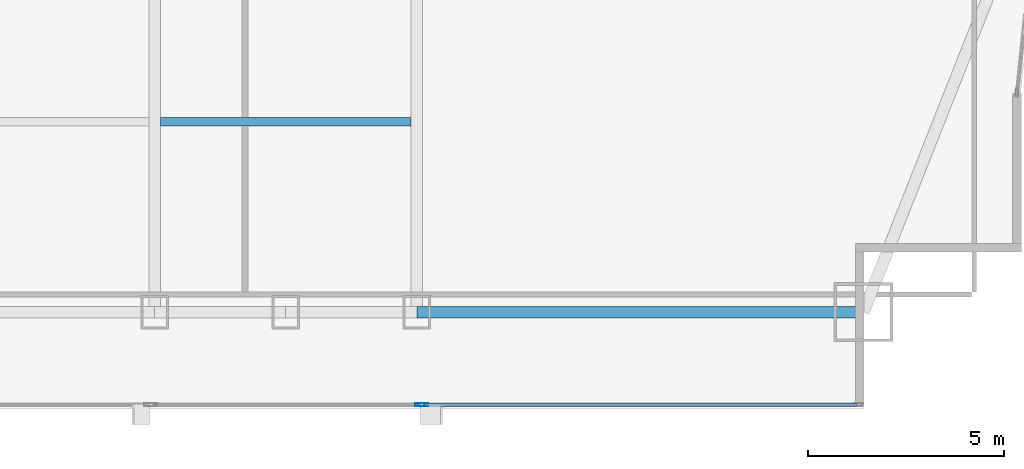
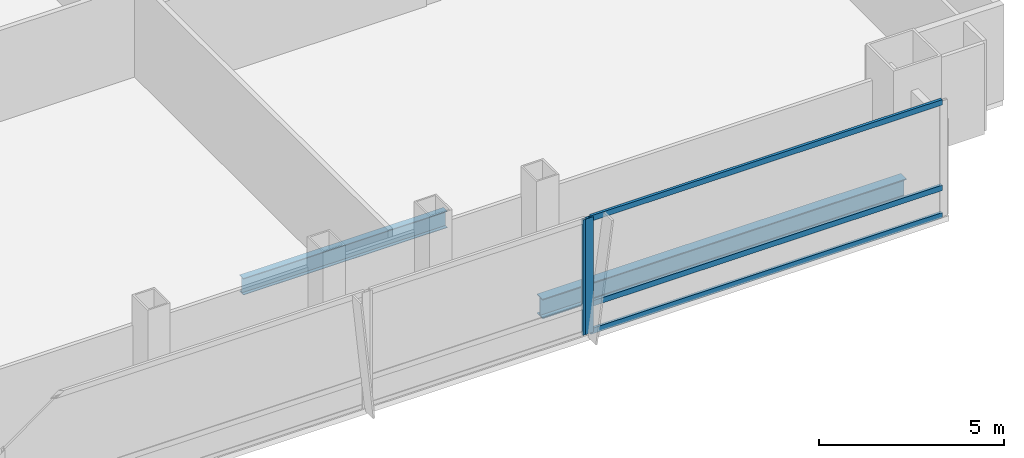
# One storey, part 15 of 30: 5 members, 2 beams, 2 elements without a shape of their own.
"""IFC4 building model written with IfcOpenShell, lengths in metres."""

import ifcopenshell
import ifcopenshell.guid

model = None  # the IFC model being written
_history = None  # IfcOwnerHistory: only IFC2X3 demands one
_inside = {}  # id of a spatial element -> (the spatial element, [elements in it])
_under = {}  # id of a project, library or spatial element -> (it, [spatial elements below it])
_declared = {}  # id of a project -> (the project, [libraries it declares])
_typed = {}  # id of a type object -> (the type object, [elements of that type])
_made_of = {}  # id of a material, layer set ... -> (it, [elements and type objects made of it])


def new_model(schema):
    """Start an empty IFC model of exactly this schema.

    Asked for "IFC4X3", IfcOpenShell would pick the latest addendum, in which some entities
    have other attributes; the version numbers below select the first issue.
    IFC2X3 requires an IfcOwnerHistory on every rooted entity: one is made here for all.
    """
    global model, _history
    if schema == "IFC4X3":
        model = ifcopenshell.file(schema_version=(4, 3, 0, 0))
    else:
        model = ifcopenshell.file(schema=schema)
    _inside.clear()
    _under.clear()
    _declared.clear()
    _typed.clear()
    _made_of.clear()
    _history = None
    if model.schema == "IFC2X3":
        org = make("IfcOrganization", Name="unknown")
        user = make(
            "IfcPersonAndOrganization",
            ThePerson=make("IfcPerson", FamilyName="unknown"),
            TheOrganization=org,
        )
        app = make(
            "IfcApplication",
            ApplicationDeveloper=org,
            Version="unknown",
            ApplicationFullName="unknown",
            ApplicationIdentifier="unknown",
        )
        _history = make(
            "IfcOwnerHistory",
            OwningUser=user,
            OwningApplication=app,
            ChangeAction="ADDED",
            CreationDate=0,
        )
    return model


def make(cls, **values):
    """One entity of the class cls with the attributes given. An attribute that is None is left unset."""
    return model.create_entity(
        cls, **{name: value for name, value in values.items() if value is not None}
    )


def rooted(cls, **values):
    """An entity with a GlobalId (a new one), such as an element, a storey or a relation."""
    return make(cls, GlobalId=ifcopenshell.guid.new(), OwnerHistory=_history, **values)


def si_unit(unit_type, name, prefix=None):
    """IfcSIUnit, for example si_unit("LENGTHUNIT", "METRE", prefix="MILLI")."""
    return make("IfcSIUnit", UnitType=unit_type, Prefix=prefix, Name=name)


def assignment(units):
    """IfcUnitAssignment: the units of a project."""
    return None if units is None else make("IfcUnitAssignment", Units=units)


def point(xyz):
    """IfcCartesianPoint."""
    return None if xyz is None else make("IfcCartesianPoint", Coordinates=xyz)


def direction(xyz):
    """IfcDirection."""
    return None if xyz is None else make("IfcDirection", DirectionRatios=xyz)


def frame(location, z_axis=None, x_axis=None):
    """IfcAxis2Placement3D, a coordinate frame: its origin and axes. An axis left out is left unset."""
    return make(
        "IfcAxis2Placement3D",
        Location=point(location),
        Axis=direction(z_axis),
        RefDirection=direction(x_axis),
    )


def frame_2d(location, x_axis=None):
    """IfcAxis2Placement2D, a coordinate frame in the plane: its origin and x axis."""
    return make(
        "IfcAxis2Placement2D", Location=point(location), RefDirection=direction(x_axis)
    )


def origin():
    """The frame at (0, 0, 0) with its axes left unset."""
    return frame((0.0, 0.0, 0.0))


def origin_2d():
    """The frame at (0, 0) in the plane with its x axis left unset."""
    return frame_2d((0.0, 0.0))


def place(relative_to, where):
    """IfcLocalPlacement: puts the frame where relative to a parent placement (None: the world)."""
    return make(
        "IfcLocalPlacement", PlacementRelTo=relative_to, RelativePlacement=where
    )


def context(
    kind, dimensions, precision=None, world=None, true_north=None, identifier=None
):
    """IfcGeometricRepresentationContext, for example the 3D "Model" context."""
    return make(
        "IfcGeometricRepresentationContext",
        ContextIdentifier=identifier,
        ContextType=kind,
        CoordinateSpaceDimension=dimensions,
        Precision=precision,
        WorldCoordinateSystem=world,
        TrueNorth=true_north,
    )


def subcontext(parent, identifier, kind, view, scale=None):
    """IfcGeometricRepresentationSubContext, for example "Body" below "Model"."""
    return make(
        "IfcGeometricRepresentationSubContext",
        ContextIdentifier=identifier,
        ContextType=kind,
        ParentContext=parent,
        TargetScale=scale,
        TargetView=view,
    )


def project(units=None, contexts=None):
    """IfcProject with its units and contexts."""
    return rooted(
        "IfcProject",
        Name="project",
        RepresentationContexts=contexts,
        UnitsInContext=assignment(units),
    )


def spatial(cls, under=None, at=None, **own):
    """A site, building, storey or space (cls), placed at a placement, below another one or the project."""
    s = rooted(cls, ObjectPlacement=at, **own)
    if under is not None:
        _under.setdefault(under.id(), (under, []))[1].append(s)
    return s


def profile(cls, at=None, kind="AREA", **sizes):
    """A parametric profile (cls). Its sizes go by their IFC names, for example OverallWidth=200.0."""
    return make(cls, ProfileType=kind, Position=at, **sizes)


def hollow_rectangle(**sizes):
    """IfcRectangleHollowProfileDef."""
    return profile("IfcRectangleHollowProfileDef", **sizes)


def i_section(**sizes):
    """IfcIShapeProfileDef."""
    return profile("IfcIShapeProfileDef", **sizes)


def extrude(swept, where, along, depth):
    """IfcExtrudedAreaSolid: the profile swept, set in the frame where, extruded along a direction by depth."""
    return make(
        "IfcExtrudedAreaSolid",
        SweptArea=swept,
        Position=where,
        ExtrudedDirection=direction(along),
        Depth=depth,
    )


def shape(context_of_items, identifier, shape_type, items):
    """IfcShapeRepresentation: the items that make up one representation, for example the "Body"."""
    return make(
        "IfcShapeRepresentation",
        ContextOfItems=context_of_items,
        RepresentationIdentifier=identifier,
        RepresentationType=shape_type,
        Items=items,
    )


def material(Name=None, Category=None):
    """IfcMaterial."""
    return make("IfcMaterial", Name=Name, Category=Category)


def material_profile(
    of_material, cross_section, Name=None, Category=None, Priority=None
):
    """IfcMaterialProfile: a cross section and its material."""
    return make(
        "IfcMaterialProfile",
        Name=Name,
        Material=of_material,
        Profile=cross_section,
        Priority=Priority,
        Category=Category,
    )


def profile_set(profiles, Name=None, composite=None):
    """IfcMaterialProfileSet."""
    return make(
        "IfcMaterialProfileSet",
        Name=Name,
        MaterialProfiles=profiles,
        CompositeProfile=composite,
    )


def made_of(thing, what):
    """Note that an element or type object is made of a material, layer set ...; save() writes the relation."""
    if what is not None:
        _made_of.setdefault(what.id(), (what, []))[1].append(thing)
    return thing


def type_object(cls, material=None, **own):
    """A type object (cls), such as IfcWallType, which elements share."""
    return made_of(rooted(cls, **own), material)


def element(
    cls,
    number,
    at=None,
    inside=None,
    cuts=None,
    type_object=None,
    material=None,
    context=None,
    identifier="Body",
    shape_type=None,
    held_by="IfcProductDefinitionShape",
    body=None,
    shapes=None,
    **own,
):
    """One element of the class cls, such as IfcWall. Its Tag is "e" and its number.

    at: its placement. inside: the storey or other place that contains it. cuts: it is an
    opening in that element (IfcRelVoidsElement). A single representation is given by context,
    identifier, shape_type and body (its items); several are given by shapes. held_by: the class
    of the entity that holds the representations. save() writes the other relations.
    """
    e = rooted(cls, Tag="e%d" % number, ObjectPlacement=at, **own)
    if body is not None:
        shapes = [shape(context, identifier, shape_type, body)]
    if shapes is not None:
        e.Representation = make(held_by, Representations=shapes)
    if inside is not None:
        _inside.setdefault(inside.id(), (inside, []))[1].append(e)
    if cuts is not None:
        rooted(
            "IfcRelVoidsElement", RelatingBuildingElement=cuts, RelatedOpeningElement=e
        )
    if type_object is not None:
        _typed.setdefault(type_object.id(), (type_object, []))[1].append(e)
    return made_of(e, material)


def aggregate(whole, parts):
    """IfcRelAggregates: a whole, such as a stair, and the parts it consists of."""
    return rooted("IfcRelAggregates", RelatingObject=whole, RelatedObjects=parts)


def save(model, path):
    """Write the relations noted so far, then the file.

    IfcRelAggregates (storeys below a building ...), IfcRelContainedInSpatialStructure (elements
    in a storey), IfcRelDefinesByType, IfcRelAssociatesMaterial and IfcRelDeclares: one each for
    every whole, place, type object, material and project.
    """
    for whole, parts in _under.values():
        aggregate(whole, parts)
    for where, things in _inside.values():
        rooted(
            "IfcRelContainedInSpatialStructure",
            RelatedElements=things,
            RelatingStructure=where,
        )
    for kind, things in _typed.values():
        rooted("IfcRelDefinesByType", RelatedObjects=things, RelatingType=kind)
    for what, things in _made_of.values():
        rooted("IfcRelAssociatesMaterial", RelatedObjects=things, RelatingMaterial=what)
    for by, libraries in _declared.values():
        rooted("IfcRelDeclares", RelatingContext=by, RelatedDefinitions=libraries)
    model.write(path)


model = new_model("IFC4")

# Units and contexts
model_context = context("Model", 3, precision=1e-05, world=origin(), true_north=direction((0.0, 1.0)))
body_context = subcontext(model_context, "Body", "Model", "MODEL_VIEW")
ifc_project = project(units=[si_unit("LENGTHUNIT", "METRE"), si_unit("AREAUNIT", "SQUARE_METRE"), si_unit("VOLUMEUNIT", "CUBIC_METRE"), si_unit("PLANEANGLEUNIT", "RADIAN"), si_unit("MASSUNIT", "GRAM", prefix="KILO")], contexts=[model_context])

# Site, building, storey
site_placement = place(None, origin())
site = spatial("IfcSite", under=ifc_project, at=site_placement, CompositionType="ELEMENT")
building_placement = place(site_placement, origin())
building = spatial("IfcBuilding", under=site, at=building_placement, Name="Khoronbel Lancet Exchange", CompositionType="ELEMENT")
storey_placement = place(building_placement, frame((0.0, 0.0, 98.60009765625)))
storey = spatial("IfcBuildingStorey", under=building, at=storey_placement, Name="L23", CompositionType="ELEMENT", Elevation=98.60009765625)

# Beams
ifc_material_1 = material(Name="Steel S355", Category="steel")
ifc_material_profile_1 = material_profile(ifc_material_1, i_section(OverallWidth=0.2099609375, OverallDepth=0.550048828125, WebThickness=0.010986328125, FlangeThickness=0.01708984375, at=origin_2d()), Name="IPE 550")
ifc_profile_set_1 = profile_set([ifc_material_profile_1], Name="Steel S355")
beam_type_1 = type_object("IfcBeamType", Name="BM-BJ2", PredefinedType="JOIST", material=ifc_profile_set_1)
beam_1_placement = place(storey_placement, frame((48.14990234375, 15.0, -0.455078125), z_axis=(1.0, 0.0, 0.0), x_axis=(0.0, 1.0, 0.0)))
element("IfcBeam", 1, at=beam_1_placement, inside=storey, type_object=beam_type_1, Name="Level L23 secondary composite joist J05", PredefinedType="JOIST", context=body_context, shape_type="SweptSolid", body=[
    extrude(i_section(OverallWidth=0.2099609375, OverallDepth=0.550048828125, WebThickness=0.010986328125, FlangeThickness=0.01708984375, at=origin_2d()), origin(), (0.0, 0.0, 1.0), 6.375),
])
ifc_material_profile_2 = material_profile(ifc_material_1, i_section(OverallWidth=0.300048828125, OverallDepth=0.64990234375, WebThickness=0.01611328125, FlangeThickness=0.031005859375, at=origin_2d()), Name="HEB 650")
ifc_profile_set_2 = profile_set([ifc_material_profile_2], Name="Steel S355")
beam_type_2 = type_object("IfcBeamType", Name="BM-BSP1", PredefinedType="SPANDREL", material=ifc_profile_set_2)
beam_2_placement = place(storey_placement, frame((54.675048828125, 10.14990234375, -0.505126953125), z_axis=(1.0, 0.0, 0.0), x_axis=(0.0, 1.0, 0.0)))
element("IfcBeam", 2, at=beam_2_placement, inside=storey, type_object=beam_type_2, Name="Level L23 perimeter spandrel beam SP09", PredefinedType="SPANDREL", context=body_context, shape_type="SweptSolid", body=[
    extrude(i_section(OverallWidth=0.300048828125, OverallDepth=0.64990234375, WebThickness=0.01611328125, FlangeThickness=0.031005859375, at=origin_2d()), origin(), (0.0, 0.0, 1.0), 11.375),
])

# Curtain wall, member
ifc_material_2 = material(Name="Low-E Solar Control Insulating Glass", Category="glass")
curtain_wall_type = type_object("IfcCurtainWallType", Name="CW-2", PredefinedType="NOTDEFINED", material=ifc_material_2)
curtain_wall_1_placement = place(storey_placement, origin())
curtain_wall_1 = element("IfcCurtainWall", 3, at=curtain_wall_1_placement, inside=storey, type_object=curtain_wall_type, Name="Unitised curtain wall CW-L23-SEB", PredefinedType="NOTDEFINED")
ifc_material_3 = material(Name="Bronze-Anodised Aluminium 6063-T6", Category="aluminium")
ifc_material_profile_3 = material_profile(ifc_material_3, hollow_rectangle(XDim=0.0849609375, YDim=0.239990234375, WallThickness=0.006103515625, at=origin_2d()), Name="ALU MULLION 85x240")
ifc_profile_set_3 = profile_set([ifc_material_profile_3], Name="Bronze-Anodised Aluminium 6063-T6")
member_type_1 = type_object("IfcMemberType", Name="MEM-CWM1", PredefinedType="MULLION", material=ifc_profile_set_3)
member_1_placement = place(storey_placement, frame((54.757568359375, 7.7900390625, 0.0), z_axis=(0.0, 0.0, 1.0), x_axis=(0.0, 1.0, 0.0)))
member_1 = element("IfcMember", 4, at=member_1_placement, type_object=member_type_1, Name="CW2 mullion 2", PredefinedType="MULLION", context=body_context, shape_type="SweptSolid", body=[
    extrude(hollow_rectangle(XDim=0.0849609375, YDim=0.239990234375, WallThickness=0.006103515625, at=origin_2d()), origin(), (0.0, 0.0, 1.0), 3.81982421875),
])
aggregate(curtain_wall_1, [member_1])

# Curtain wall, members
curtain_wall_2_placement = place(storey_placement, origin())
curtain_wall_2 = element("IfcCurtainWall", 5, at=curtain_wall_2_placement, inside=storey, type_object=curtain_wall_type, Name="Unitised curtain wall CW-L23-SEV", PredefinedType="NOTDEFINED")
member_2_placement = place(storey_placement, frame((54.842529296875, 7.7900390625, 0.0), z_axis=(0.0, 0.0, 1.0), x_axis=(0.0, 1.0, 0.0)))
member_2 = element("IfcMember", 6, at=member_2_placement, type_object=member_type_1, Name="CW2 mullion 1", PredefinedType="MULLION", context=body_context, shape_type="SweptSolid", body=[
    extrude(hollow_rectangle(XDim=0.0849609375, YDim=0.239990234375, WallThickness=0.006103515625, at=origin_2d()), origin(), (0.0, 0.0, 1.0), 3.81982421875),
])
ifc_material_profile_4 = material_profile(ifc_material_3, hollow_rectangle(XDim=0.0849609375, YDim=0.179931640625, WallThickness=0.0048828125, at=origin_2d()), Name="ALU TRANSOM 85x180")
ifc_profile_set_4 = profile_set([ifc_material_profile_4], Name="Bronze-Anodised Aluminium 6063-T6")
member_type_2 = type_object("IfcMemberType", Name="MEM-CWT1", PredefinedType="USERDEFINED", material=ifc_profile_set_4)
member_3_placement = place(storey_placement, frame((54.885009765625, 7.7900390625, 0.04248046875), z_axis=(1.0, 0.0, 0.0), x_axis=(0.0, 1.0, 0.0)))
member_3 = element("IfcMember", 7, at=member_3_placement, type_object=member_type_2, Name="CW2 transom 1.1", ObjectType="TRANSOM", PredefinedType="USERDEFINED", context=body_context, shape_type="SweptSolid", body=[
    extrude(hollow_rectangle(XDim=0.0849609375, YDim=0.179931640625, WallThickness=0.0048828125, at=origin_2d()), origin(), (0.0, 0.0, 1.0), 10.989990234375),
])
member_4_placement = place(storey_placement, frame((54.885009765625, 7.7900390625, 0.949951171875), z_axis=(1.0, 0.0, 0.0), x_axis=(0.0, 1.0, 0.0)))
member_4 = element("IfcMember", 8, at=member_4_placement, type_object=member_type_2, Name="CW2 transom 1.2", ObjectType="TRANSOM", PredefinedType="USERDEFINED", context=body_context, shape_type="SweptSolid", body=[
    extrude(hollow_rectangle(XDim=0.0849609375, YDim=0.179931640625, WallThickness=0.0048828125, at=origin_2d()), origin(), (0.0, 0.0, 1.0), 10.989990234375),
])
member_5_placement = place(storey_placement, frame((54.885009765625, 7.7900390625, 3.77734375), z_axis=(1.0, 0.0, 0.0), x_axis=(0.0, 1.0, 0.0)))
member_5 = element("IfcMember", 9, at=member_5_placement, type_object=member_type_2, Name="CW2 transom 1.3", ObjectType="TRANSOM", PredefinedType="USERDEFINED", context=body_context, shape_type="SweptSolid", body=[
    extrude(hollow_rectangle(XDim=0.0849609375, YDim=0.179931640625, WallThickness=0.0048828125, at=origin_2d()), origin(), (0.0, 0.0, 1.0), 10.989990234375),
])
aggregate(curtain_wall_2, [member_2, member_3, member_4, member_5])

save(model, "model.ifc")
